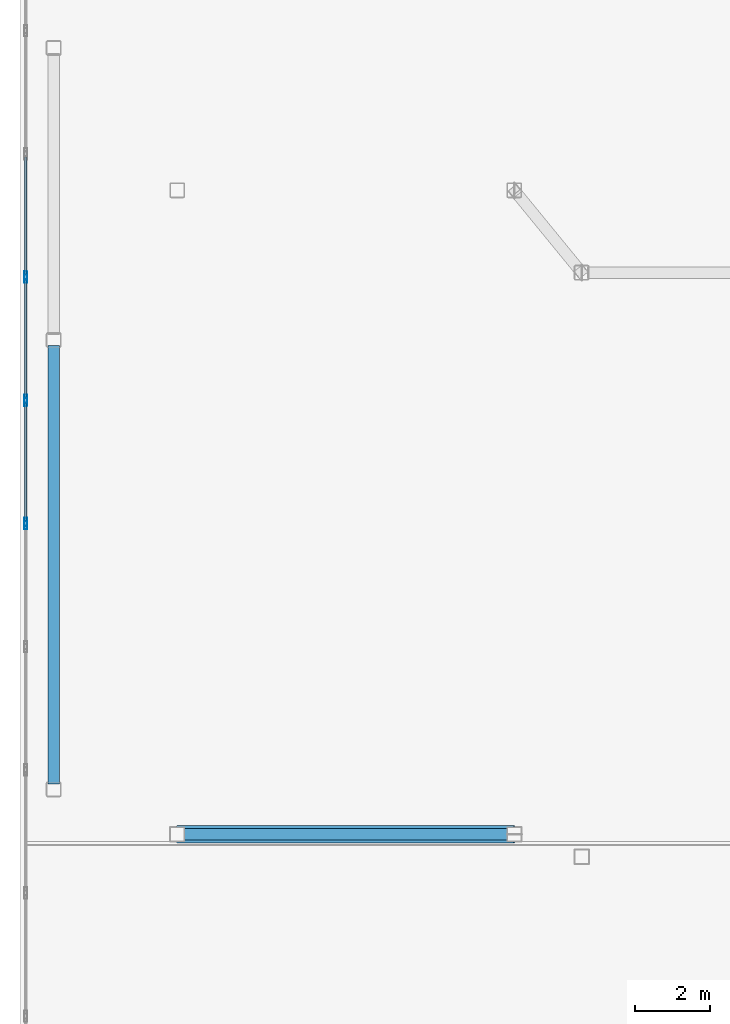
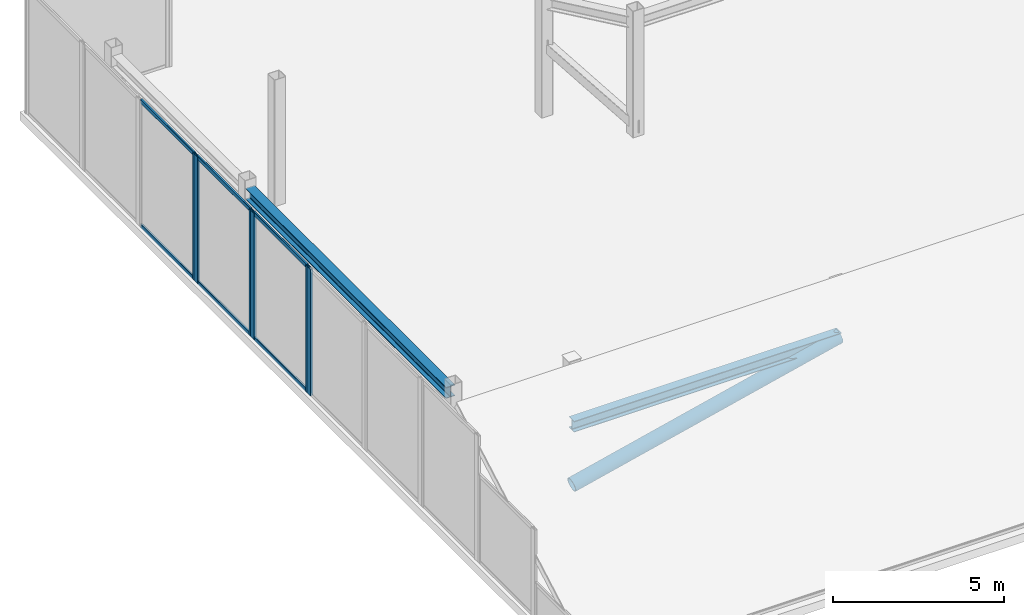
# One storey, part 3 of 15: 13 members, 2 beams, 4 elements without a shape of their own.
"""IFC4 building model written with IfcOpenShell, lengths in metres."""

from ifc_helpers import new_model, si_unit, direction, frame, origin, origin_2d, place, context, subcontext, project, spatial, hollow_rectangle, hollow_circle, i_section, extrude, material, layer, layer_set, material_profile, profile_set, type_object, element, aggregate, save


model = new_model("IFC4")

# Units and contexts
model_context = context("Model", 3, precision=1e-05, world=origin(), true_north=direction((0.0, 1.0)))
body_context = subcontext(model_context, "Body", "Model", "MODEL_VIEW")
ifc_project = project(units=[si_unit("LENGTHUNIT", "METRE"), si_unit("AREAUNIT", "SQUARE_METRE"), si_unit("VOLUMEUNIT", "CUBIC_METRE"), si_unit("PLANEANGLEUNIT", "RADIAN"), si_unit("MASSUNIT", "GRAM", prefix="KILO")], contexts=[model_context])

# Site, building, storey
site_placement = place(None, origin())
site = spatial("IfcSite", under=ifc_project, at=site_placement, CompositionType="ELEMENT")
building_placement = place(site_placement, origin())
building = spatial("IfcBuilding", under=site, at=building_placement, Name="Tarnavaz Court Tower", CompositionType="ELEMENT")
storey_placement = place(building_placement, frame((0.0, 0.0, 295.050048828125)))
storey = spatial("IfcBuildingStorey", under=building, at=storey_placement, Name="C04", CompositionType="ELEMENT", Elevation=295.050048828125)

# Beams
ifc_material_1 = material(Name="Steel S355", Category="steel")
ifc_material_profile_1 = material_profile(ifc_material_1, i_section(OverallWidth=0.300048828125, OverallDepth=0.389892578125, WebThickness=0.010986328125, FlangeThickness=0.01904296875, FilletRadius=0.027099609375, at=origin_2d()), Name="HEA 400")
ifc_profile_set_1 = profile_set([ifc_material_profile_1], Name="Steel S355")
beam_type_1 = type_object("IfcBeamType", Name="BM-CR-IPE300", PredefinedType="USERDEFINED", material=ifc_profile_set_1)
beam_1_placement = place(storey_placement, frame((-18.60009765625, -7.199951171875, 2.5), z_axis=(1.0, 0.0, 0.0), x_axis=(0.0, 1.0, 0.0)))
element("IfcBeam", 1, at=beam_1_placement, inside=storey, type_object=beam_type_1, Name="C04 Crown Frame W Core Tie Beam", ObjectType="CROWN FRAME", PredefinedType="USERDEFINED", context=body_context, shape_type="SweptSolid", body=[
    extrude(i_section(OverallWidth=0.300048828125, OverallDepth=0.389892578125, WebThickness=0.010986328125, FlangeThickness=0.01904296875, FilletRadius=0.027099609375, at=origin_2d()), origin(), (0.0, 0.0, 1.0), 9.0),
])
ifc_material_profile_2 = material_profile(ifc_material_1, i_section(OverallWidth=0.300048828125, OverallDepth=0.39990234375, WebThickness=0.013427734375, FlangeThickness=0.02392578125, FilletRadius=0.027099609375, at=origin_2d()), Name="HEB 400")
ifc_profile_set_2 = profile_set([ifc_material_profile_2], Name="Steel S355")
beam_type_2 = type_object("IfcBeamType", Name="BM-G-HEB400", PredefinedType="USERDEFINED", material=ifc_profile_set_2)
beam_2_placement = place(storey_placement, frame((-21.89990234375, -5.85009765625, 4.0), z_axis=(0.0, 1.0, 0.0), x_axis=(-1.0, 0.0, 0.0)))
element("IfcBeam", 2, at=beam_2_placement, inside=storey, type_object=beam_type_2, Name="C04 Beam CRG-PW-2-PW-3", ObjectType="GIRDER", PredefinedType="USERDEFINED", context=body_context, shape_type="SweptSolid", body=[
    extrude(i_section(OverallWidth=0.300048828125, OverallDepth=0.39990234375, WebThickness=0.013427734375, FlangeThickness=0.02392578125, FilletRadius=0.027099609375, at=origin_2d()), origin(), (0.0, 0.0, 1.0), 11.7001953125),
])

# Curtain wall, member
ifc_material_2 = material(Name="Anodised Aluminium 6063-T6 and Solar Low-E Glazing", Category="aluminium")
ifc_layer = layer(ifc_material_2, 0.2099609375)
ifc_layer_set = layer_set([ifc_layer], Name="Anodised Aluminium 6063-T6 and Solar Low-E Glazing")
curtain_wall_type = type_object("IfcCurtainWallType", Name="CW-SYS-06", PredefinedType="NOTDEFINED", material=ifc_layer_set)
curtain_wall_1_placement = place(storey_placement, origin())
curtain_wall_1 = element("IfcCurtainWall", 3, at=curtain_wall_1_placement, inside=storey, type_object=curtain_wall_type, Name="C04 Slanted Crown Terracotta Curtain Wall 24", PredefinedType="NOTDEFINED")
ifc_material_3 = material(Name="Anodised Aluminium 6063-T6", Category="aluminium")
ifc_material_profile_3 = material_profile(ifc_material_3, hollow_rectangle(XDim=0.0849609375, YDim=0.219970703125, WallThickness=0.006103515625, InnerFilletRadius=0.006103515625, OuterFilletRadius=0.011962890625, at=origin_2d()), Name="ALU RHS 220X85X6")
ifc_profile_set_3 = profile_set([ifc_material_profile_3], Name="Anodised Aluminium 6063-T6")
member_type_1 = type_object("IfcMemberType", Name="CW-MUL-220", PredefinedType="MULLION", material=ifc_profile_set_3)
member_1_placement = place(storey_placement, frame((-22.64990234375, 1.0576171875, 0.0), z_axis=(0.0, 0.0, 1.0), x_axis=(-1.0, 0.0, 0.0)))
member_1 = element("IfcMember", 4, at=member_1_placement, type_object=member_type_1, Name="CW mullion 2", PredefinedType="MULLION", context=body_context, shape_type="SweptSolid", body=[
    extrude(hollow_rectangle(XDim=0.0849609375, YDim=0.219970703125, WallThickness=0.006103515625, InnerFilletRadius=0.006103515625, OuterFilletRadius=0.011962890625, at=origin_2d()), origin(), (0.0, 0.0, 1.0), 4.5),
])
aggregate(curtain_wall_1, [member_1])

# Curtain wall, members
curtain_wall_2_placement = place(storey_placement, origin())
curtain_wall_2 = element("IfcCurtainWall", 5, at=curtain_wall_2_placement, inside=storey, type_object=curtain_wall_type, Name="C04 Slanted Crown Terracotta Curtain Wall 25", PredefinedType="NOTDEFINED")
member_2_placement = place(storey_placement, frame((-22.64990234375, 1.142578125, 0.0), z_axis=(0.0, 0.0, 1.0), x_axis=(-1.0, 0.0, 0.0)))
member_2 = element("IfcMember", 6, at=member_2_placement, type_object=member_type_1, Name="CW mullion 1", PredefinedType="MULLION", context=body_context, shape_type="SweptSolid", body=[
    extrude(hollow_rectangle(XDim=0.0849609375, YDim=0.219970703125, WallThickness=0.006103515625, InnerFilletRadius=0.006103515625, OuterFilletRadius=0.011962890625, at=origin_2d()), origin(), (0.0, 0.0, 1.0), 4.5),
])
member_3_placement = place(storey_placement, frame((-22.64990234375, 4.347412109375, 0.0), z_axis=(0.0, 0.0, 1.0), x_axis=(-1.0, 0.0, 0.0)))
member_3 = element("IfcMember", 7, at=member_3_placement, type_object=member_type_1, Name="CW mullion 2", PredefinedType="MULLION", context=body_context, shape_type="SweptSolid", body=[
    extrude(hollow_rectangle(XDim=0.0849609375, YDim=0.219970703125, WallThickness=0.006103515625, InnerFilletRadius=0.006103515625, OuterFilletRadius=0.011962890625, at=origin_2d()), origin(), (0.0, 0.0, 1.0), 4.5),
])

curtain_wall_3_placement = place(storey_placement, origin())
curtain_wall_3 = element("IfcCurtainWall", 8, at=curtain_wall_3_placement, inside=storey, type_object=curtain_wall_type, Name="C04 Slanted Crown Terracotta Curtain Wall 26", PredefinedType="NOTDEFINED")
member_4_placement = place(storey_placement, frame((-22.64990234375, 4.4326171875, 0.0), z_axis=(0.0, 0.0, 1.0), x_axis=(-1.0, 0.0, 0.0)))
member_4 = element("IfcMember", 9, at=member_4_placement, type_object=member_type_1, Name="CW mullion 1", PredefinedType="MULLION", context=body_context, shape_type="SweptSolid", body=[
    extrude(hollow_rectangle(XDim=0.0849609375, YDim=0.219970703125, WallThickness=0.006103515625, InnerFilletRadius=0.006103515625, OuterFilletRadius=0.011962890625, at=origin_2d()), origin(), (0.0, 0.0, 1.0), 4.5),
])
member_5_placement = place(storey_placement, frame((-22.64990234375, 7.637451171875, 0.0), z_axis=(0.0, 0.0, 1.0), x_axis=(-1.0, 0.0, 0.0)))
member_5 = element("IfcMember", 10, at=member_5_placement, type_object=member_type_1, Name="CW mullion 2", PredefinedType="MULLION", context=body_context, shape_type="SweptSolid", body=[
    extrude(hollow_rectangle(XDim=0.0849609375, YDim=0.219970703125, WallThickness=0.006103515625, InnerFilletRadius=0.006103515625, OuterFilletRadius=0.011962890625, at=origin_2d()), origin(), (0.0, 0.0, 1.0), 4.5),
])

# Curtain wall, member
curtain_wall_4_placement = place(storey_placement, origin())
curtain_wall_4 = element("IfcCurtainWall", 11, at=curtain_wall_4_placement, inside=storey, type_object=curtain_wall_type, Name="C04 Slanted Crown Terracotta Curtain Wall 27", PredefinedType="NOTDEFINED")
member_6_placement = place(storey_placement, frame((-22.64990234375, 7.722412109375, 0.0), z_axis=(0.0, 0.0, 1.0), x_axis=(-1.0, 0.0, 0.0)))
member_6 = element("IfcMember", 12, at=member_6_placement, type_object=member_type_1, Name="CW mullion 1", PredefinedType="MULLION", context=body_context, shape_type="SweptSolid", body=[
    extrude(hollow_rectangle(XDim=0.0849609375, YDim=0.219970703125, WallThickness=0.006103515625, InnerFilletRadius=0.006103515625, OuterFilletRadius=0.011962890625, at=origin_2d()), origin(), (0.0, 0.0, 1.0), 4.5),
])

# Member
ifc_material_profile_4 = material_profile(ifc_material_3, hollow_rectangle(XDim=0.06494140625, YDim=0.139892578125, WallThickness=0.00390625, InnerFilletRadius=0.00390625, OuterFilletRadius=0.008056640625, at=origin_2d()), Name="ALU RHS 140X65X4")
ifc_profile_set_4 = profile_set([ifc_material_profile_4], Name="Anodised Aluminium 6063-T6")
member_type_2 = type_object("IfcMemberType", Name="CW-TRN-140", PredefinedType="USERDEFINED", material=ifc_profile_set_4)
member_7_placement = place(storey_placement, frame((-22.64990234375, 1.18505859375, 0.032470703125), z_axis=(0.0, 1.0, 0.0), x_axis=(-1.0, 0.0, 0.0)))
member_7 = element("IfcMember", 13, at=member_7_placement, type_object=member_type_2, Name="CW transom 1.1", ObjectType="TRANSOM", PredefinedType="USERDEFINED", context=body_context, shape_type="SweptSolid", body=[
    extrude(hollow_rectangle(XDim=0.06494140625, YDim=0.139892578125, WallThickness=0.00390625, InnerFilletRadius=0.00390625, OuterFilletRadius=0.008056640625, at=origin_2d()), origin(), (0.0, 0.0, 1.0), 3.119873046875),
])

member_8_placement = place(storey_placement, frame((-22.64990234375, 1.18505859375, 4.467529296875), z_axis=(0.0, 1.0, 0.0), x_axis=(-1.0, 0.0, 0.0)))
member_8 = element("IfcMember", 14, at=member_8_placement, type_object=member_type_2, Name="CW transom 1.2", ObjectType="TRANSOM", PredefinedType="USERDEFINED", context=body_context, shape_type="SweptSolid", body=[
    extrude(hollow_rectangle(XDim=0.06494140625, YDim=0.139892578125, WallThickness=0.00390625, InnerFilletRadius=0.00390625, OuterFilletRadius=0.008056640625, at=origin_2d()), origin(), (0.0, 0.0, 1.0), 3.119873046875),
])

aggregate(curtain_wall_2, [member_2, member_3, member_7, member_8])

member_9_placement = place(storey_placement, frame((-22.64990234375, 4.47509765625, 0.032470703125), z_axis=(0.0, 1.0, 0.0), x_axis=(-1.0, 0.0, 0.0)))
member_9 = element("IfcMember", 15, at=member_9_placement, type_object=member_type_2, Name="CW transom 1.1", ObjectType="TRANSOM", PredefinedType="USERDEFINED", context=body_context, shape_type="SweptSolid", body=[
    extrude(hollow_rectangle(XDim=0.06494140625, YDim=0.139892578125, WallThickness=0.00390625, InnerFilletRadius=0.00390625, OuterFilletRadius=0.008056640625, at=origin_2d()), origin(), (0.0, 0.0, 1.0), 3.119873046875),
])

member_10_placement = place(storey_placement, frame((-22.64990234375, 4.47509765625, 4.467529296875), z_axis=(0.0, 1.0, 0.0), x_axis=(-1.0, 0.0, 0.0)))
member_10 = element("IfcMember", 16, at=member_10_placement, type_object=member_type_2, Name="CW transom 1.2", ObjectType="TRANSOM", PredefinedType="USERDEFINED", context=body_context, shape_type="SweptSolid", body=[
    extrude(hollow_rectangle(XDim=0.06494140625, YDim=0.139892578125, WallThickness=0.00390625, InnerFilletRadius=0.00390625, OuterFilletRadius=0.008056640625, at=origin_2d()), origin(), (0.0, 0.0, 1.0), 3.119873046875),
])

aggregate(curtain_wall_3, [member_4, member_5, member_9, member_10])

member_11_placement = place(storey_placement, frame((-22.64990234375, 7.764892578125, 0.032470703125), z_axis=(0.0, 1.0, 0.0), x_axis=(-1.0, 0.0, 0.0)))
member_11 = element("IfcMember", 17, at=member_11_placement, type_object=member_type_2, Name="CW transom 1.1", ObjectType="TRANSOM", PredefinedType="USERDEFINED", context=body_context, shape_type="SweptSolid", body=[
    extrude(hollow_rectangle(XDim=0.06494140625, YDim=0.139892578125, WallThickness=0.00390625, InnerFilletRadius=0.00390625, OuterFilletRadius=0.008056640625, at=origin_2d()), origin(), (0.0, 0.0, 1.0), 3.1201171875),
])

member_12_placement = place(storey_placement, frame((-22.64990234375, 7.764892578125, 4.467529296875), z_axis=(0.0, 1.0, 0.0), x_axis=(-1.0, 0.0, 0.0)))
member_12 = element("IfcMember", 18, at=member_12_placement, type_object=member_type_2, Name="CW transom 1.2", ObjectType="TRANSOM", PredefinedType="USERDEFINED", context=body_context, shape_type="SweptSolid", body=[
    extrude(hollow_rectangle(XDim=0.06494140625, YDim=0.139892578125, WallThickness=0.00390625, InnerFilletRadius=0.00390625, OuterFilletRadius=0.008056640625, at=origin_2d()), origin(), (0.0, 0.0, 1.0), 3.1201171875),
])

aggregate(curtain_wall_4, [member_6, member_11, member_12])

ifc_material_profile_5 = material_profile(ifc_material_1, hollow_circle(Radius=0.228515625, WallThickness=0.02001953125, at=origin_2d()), Name="CHS 457X20")
ifc_profile_set_5 = profile_set([ifc_material_profile_5], Name="Steel S355")
member_type_3 = type_object("IfcMemberType", Name="MB-CR-CHS273", PredefinedType="USERDEFINED", material=ifc_profile_set_5)
member_13_placement = place(storey_placement, frame((-18.60009765625, -7.199951171875, 0.349853515625), z_axis=(0.972628429945, 0.0, 0.232365955472), x_axis=(0.0, 1.0, 0.0)))
element("IfcMember", 19, at=member_13_placement, inside=storey, type_object=member_type_3, Name="C04 Crown Frame W Wind Brace", ObjectType="CROWN FRAME", PredefinedType="USERDEFINED", context=body_context, shape_type="SweptSolid", body=[
    extrude(hollow_circle(Radius=0.228515625, WallThickness=0.02001953125, at=origin_2d()), origin(), (0.0, 0.0, 1.0), 9.253173828125),
])

save(model, "model.ifc")
